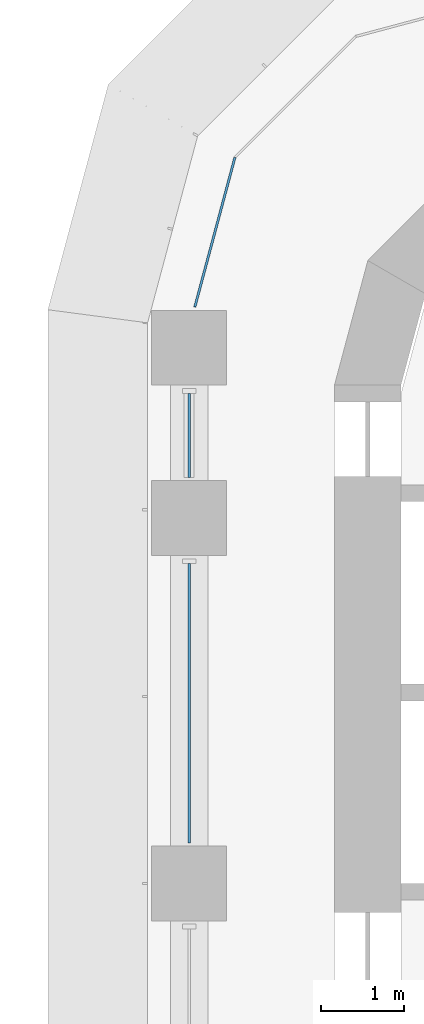
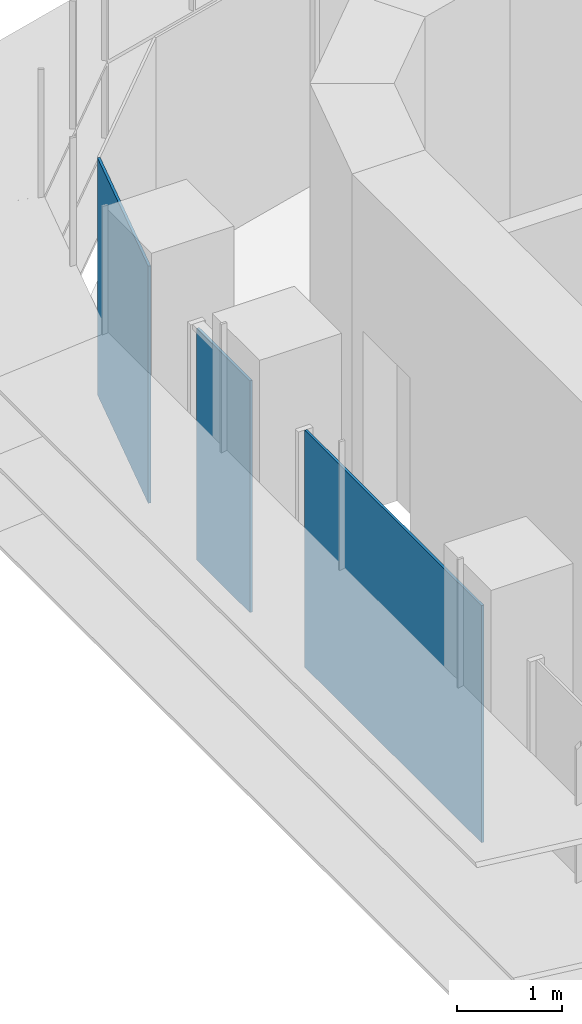
# One storey, part 13 of 22: 3 plates, 2 elements without a shape of their own.
"""IFC4 building model written with IfcOpenShell, lengths in metres."""

import ifcopenshell
import ifcopenshell.guid

model = None  # the IFC model being written
_history = None  # IfcOwnerHistory: only IFC2X3 demands one
_inside = {}  # id of a spatial element -> (the spatial element, [elements in it])
_under = {}  # id of a project, library or spatial element -> (it, [spatial elements below it])
_declared = {}  # id of a project -> (the project, [libraries it declares])
_typed = {}  # id of a type object -> (the type object, [elements of that type])
_made_of = {}  # id of a material, layer set ... -> (it, [elements and type objects made of it])


def new_model(schema):
    """Start an empty IFC model of exactly this schema.

    Asked for "IFC4X3", IfcOpenShell would pick the latest addendum, in which some entities
    have other attributes; the version numbers below select the first issue.
    IFC2X3 requires an IfcOwnerHistory on every rooted entity: one is made here for all.
    """
    global model, _history
    if schema == "IFC4X3":
        model = ifcopenshell.file(schema_version=(4, 3, 0, 0))
    else:
        model = ifcopenshell.file(schema=schema)
    _inside.clear()
    _under.clear()
    _declared.clear()
    _typed.clear()
    _made_of.clear()
    _history = None
    if model.schema == "IFC2X3":
        org = make("IfcOrganization", Name="unknown")
        user = make(
            "IfcPersonAndOrganization",
            ThePerson=make("IfcPerson", FamilyName="unknown"),
            TheOrganization=org,
        )
        app = make(
            "IfcApplication",
            ApplicationDeveloper=org,
            Version="unknown",
            ApplicationFullName="unknown",
            ApplicationIdentifier="unknown",
        )
        _history = make(
            "IfcOwnerHistory",
            OwningUser=user,
            OwningApplication=app,
            ChangeAction="ADDED",
            CreationDate=0,
        )
    return model


def make(cls, **values):
    """One entity of the class cls with the attributes given. An attribute that is None is left unset."""
    return model.create_entity(
        cls, **{name: value for name, value in values.items() if value is not None}
    )


def rooted(cls, **values):
    """An entity with a GlobalId (a new one), such as an element, a storey or a relation."""
    return make(cls, GlobalId=ifcopenshell.guid.new(), OwnerHistory=_history, **values)


def si_unit(unit_type, name, prefix=None):
    """IfcSIUnit, for example si_unit("LENGTHUNIT", "METRE", prefix="MILLI")."""
    return make("IfcSIUnit", UnitType=unit_type, Prefix=prefix, Name=name)


def assignment(units):
    """IfcUnitAssignment: the units of a project."""
    return None if units is None else make("IfcUnitAssignment", Units=units)


def point(xyz):
    """IfcCartesianPoint."""
    return None if xyz is None else make("IfcCartesianPoint", Coordinates=xyz)


def direction(xyz):
    """IfcDirection."""
    return None if xyz is None else make("IfcDirection", DirectionRatios=xyz)


def frame(location, z_axis=None, x_axis=None):
    """IfcAxis2Placement3D, a coordinate frame: its origin and axes. An axis left out is left unset."""
    return make(
        "IfcAxis2Placement3D",
        Location=point(location),
        Axis=direction(z_axis),
        RefDirection=direction(x_axis),
    )


def origin():
    """The frame at (0, 0, 0) with its axes left unset."""
    return frame((0.0, 0.0, 0.0))


def place(relative_to, where):
    """IfcLocalPlacement: puts the frame where relative to a parent placement (None: the world)."""
    return make(
        "IfcLocalPlacement", PlacementRelTo=relative_to, RelativePlacement=where
    )


def context(
    kind, dimensions, precision=None, world=None, true_north=None, identifier=None
):
    """IfcGeometricRepresentationContext, for example the 3D "Model" context."""
    return make(
        "IfcGeometricRepresentationContext",
        ContextIdentifier=identifier,
        ContextType=kind,
        CoordinateSpaceDimension=dimensions,
        Precision=precision,
        WorldCoordinateSystem=world,
        TrueNorth=true_north,
    )


def subcontext(parent, identifier, kind, view, scale=None):
    """IfcGeometricRepresentationSubContext, for example "Body" below "Model"."""
    return make(
        "IfcGeometricRepresentationSubContext",
        ContextIdentifier=identifier,
        ContextType=kind,
        ParentContext=parent,
        TargetScale=scale,
        TargetView=view,
    )


def project(units=None, contexts=None):
    """IfcProject with its units and contexts."""
    return rooted(
        "IfcProject",
        Name="project",
        RepresentationContexts=contexts,
        UnitsInContext=assignment(units),
    )


def spatial(cls, under=None, at=None, **own):
    """A site, building, storey or space (cls), placed at a placement, below another one or the project."""
    s = rooted(cls, ObjectPlacement=at, **own)
    if under is not None:
        _under.setdefault(under.id(), (under, []))[1].append(s)
    return s


def polyline(points):
    """IfcPolyline through the points."""
    return make("IfcPolyline", Points=[point(p) for p in points])


def outline(outer, holes=None, kind="AREA"):
    """IfcArbitraryClosedProfileDef: a profile drawn as a closed curve; with holes, ...WithVoids."""
    if holes is None:
        return make("IfcArbitraryClosedProfileDef", ProfileType=kind, OuterCurve=outer)
    return make(
        "IfcArbitraryProfileDefWithVoids",
        ProfileType=kind,
        OuterCurve=outer,
        InnerCurves=holes,
    )


def extrude(swept, where, along, depth):
    """IfcExtrudedAreaSolid: the profile swept, set in the frame where, extruded along a direction by depth."""
    return make(
        "IfcExtrudedAreaSolid",
        SweptArea=swept,
        Position=where,
        ExtrudedDirection=direction(along),
        Depth=depth,
    )


def shape(context_of_items, identifier, shape_type, items):
    """IfcShapeRepresentation: the items that make up one representation, for example the "Body"."""
    return make(
        "IfcShapeRepresentation",
        ContextOfItems=context_of_items,
        RepresentationIdentifier=identifier,
        RepresentationType=shape_type,
        Items=items,
    )


def source(mapping_origin, context_of_items, identifier, shape_type, items):
    """IfcRepresentationMap: a shape defined once, which mapped items show again and again."""
    return make(
        "IfcRepresentationMap",
        MappingOrigin=mapping_origin,
        MappedRepresentation=shape(context_of_items, identifier, shape_type, items),
    )


def transform(
    local_origin,
    x_axis=None,
    y_axis=None,
    z_axis=None,
    scale=None,
    scale2=None,
    scale3=None,
    uniform=True,
):
    """IfcCartesianTransformationOperator3D, or its non-uniform kind. x_axis, y_axis, z_axis: its Axis1, 2, 3."""
    if uniform:
        return make(
            "IfcCartesianTransformationOperator3D",
            Axis1=direction(x_axis),
            Axis2=direction(y_axis),
            LocalOrigin=point(local_origin),
            Scale=scale,
            Axis3=direction(z_axis),
        )
    return make(
        "IfcCartesianTransformationOperator3DnonUniform",
        Axis1=direction(x_axis),
        Axis2=direction(y_axis),
        LocalOrigin=point(local_origin),
        Scale=scale,
        Axis3=direction(z_axis),
        Scale2=scale2,
        Scale3=scale3,
    )


def mapped(mapping_source, mapping_target):
    """IfcMappedItem: shows the shape of a source again, moved by a transform."""
    return make(
        "IfcMappedItem", MappingSource=mapping_source, MappingTarget=mapping_target
    )


def material(Name=None, Category=None):
    """IfcMaterial."""
    return make("IfcMaterial", Name=Name, Category=Category)


def layer(
    of_material, thickness, ventilated=None, Name=None, Category=None, Priority=None
):
    """IfcMaterialLayer: one layer of a wall or slab, of a material (None: an air gap)."""
    return make(
        "IfcMaterialLayer",
        Material=of_material,
        LayerThickness=thickness,
        IsVentilated=ventilated,
        Name=Name,
        Category=Category,
        Priority=Priority,
    )


def layer_set(layers, Name=None):
    """IfcMaterialLayerSet."""
    return make("IfcMaterialLayerSet", MaterialLayers=layers, LayerSetName=Name)


def made_of(thing, what):
    """Note that an element or type object is made of a material, layer set ...; save() writes the relation."""
    if what is not None:
        _made_of.setdefault(what.id(), (what, []))[1].append(thing)
    return thing


def type_object(cls, material=None, **own):
    """A type object (cls), such as IfcWallType, which elements share."""
    return made_of(rooted(cls, **own), material)


def element(
    cls,
    number,
    at=None,
    inside=None,
    cuts=None,
    type_object=None,
    material=None,
    context=None,
    identifier="Body",
    shape_type=None,
    held_by="IfcProductDefinitionShape",
    body=None,
    shapes=None,
    **own,
):
    """One element of the class cls, such as IfcWall. Its Tag is "e" and its number.

    at: its placement. inside: the storey or other place that contains it. cuts: it is an
    opening in that element (IfcRelVoidsElement). A single representation is given by context,
    identifier, shape_type and body (its items); several are given by shapes. held_by: the class
    of the entity that holds the representations. save() writes the other relations.
    """
    e = rooted(cls, Tag="e%d" % number, ObjectPlacement=at, **own)
    if body is not None:
        shapes = [shape(context, identifier, shape_type, body)]
    if shapes is not None:
        e.Representation = make(held_by, Representations=shapes)
    if inside is not None:
        _inside.setdefault(inside.id(), (inside, []))[1].append(e)
    if cuts is not None:
        rooted(
            "IfcRelVoidsElement", RelatingBuildingElement=cuts, RelatedOpeningElement=e
        )
    if type_object is not None:
        _typed.setdefault(type_object.id(), (type_object, []))[1].append(e)
    return made_of(e, material)


def aggregate(whole, parts):
    """IfcRelAggregates: a whole, such as a stair, and the parts it consists of."""
    return rooted("IfcRelAggregates", RelatingObject=whole, RelatedObjects=parts)


def save(model, path):
    """Write the relations noted so far, then the file.

    IfcRelAggregates (storeys below a building ...), IfcRelContainedInSpatialStructure (elements
    in a storey), IfcRelDefinesByType, IfcRelAssociatesMaterial and IfcRelDeclares: one each for
    every whole, place, type object, material and project.
    """
    for whole, parts in _under.values():
        aggregate(whole, parts)
    for where, things in _inside.values():
        rooted(
            "IfcRelContainedInSpatialStructure",
            RelatedElements=things,
            RelatingStructure=where,
        )
    for kind, things in _typed.values():
        rooted("IfcRelDefinesByType", RelatedObjects=things, RelatingType=kind)
    for what, things in _made_of.values():
        rooted("IfcRelAssociatesMaterial", RelatedObjects=things, RelatingMaterial=what)
    for by, libraries in _declared.values():
        rooted("IfcRelDeclares", RelatingContext=by, RelatedDefinitions=libraries)
    model.write(path)


model = new_model("IFC4")

# Units and contexts
model_context = context("Model", 3, precision=1e-05, world=origin(), true_north=direction((0.0, 1.0)))
body_context = subcontext(model_context, "Body", "Model", "MODEL_VIEW")
ifc_project = project(units=[si_unit("LENGTHUNIT", "METRE"), si_unit("AREAUNIT", "SQUARE_METRE"), si_unit("VOLUMEUNIT", "CUBIC_METRE"), si_unit("PLANEANGLEUNIT", "RADIAN"), si_unit("MASSUNIT", "GRAM", prefix="KILO")], contexts=[model_context])

# Site, building, storey
site_placement = place(None, origin())
site = spatial("IfcSite", under=ifc_project, at=site_placement, CompositionType="ELEMENT")
building_placement = place(site_placement, origin())
building = spatial("IfcBuilding", under=site, at=building_placement, Name="Zarbagh Exchange Tower", CompositionType="ELEMENT")
storey_placement = place(building_placement, frame((0.0, 0.0, 109.39990234375)))
storey = spatial("IfcBuildingStorey", under=building, at=storey_placement, Name="L25", CompositionType="ELEMENT", Elevation=109.39990234375)

# Curtain wall, plate
ifc_material_1 = material(Name="Anodised aluminium frame and glazing", Category="aluminium")
curtain_wall_type = type_object("IfcCurtainWallType", Name="CWA Ribbon glazing, lower zones", PredefinedType="NOTDEFINED", material=ifc_material_1)
curtain_wall_1_placement = place(storey_placement, origin())
curtain_wall_1 = element("IfcCurtainWall", 1, at=curtain_wall_1_placement, inside=storey, type_object=curtain_wall_type, Name="CWA56 curtain wall", PredefinedType="NOTDEFINED")
ifc_material_2 = material(Name="Low-e double glazed unit, 6+12+6 mm")
ifc_layer = layer(ifc_material_2, 0.028076171875)
ifc_layer_set = layer_set([ifc_layer], Name="PAA Glazing panel, Low-e double glazed unit, 6+12+6 mm")
plate_type = type_object("IfcPlateType", Name="PAA Glazing panel, Low-e double glazed unit, 6+12+6 mm", PredefinedType="CURTAIN_PANEL", material=ifc_layer_set)
shared_shape_1 = source(origin(), body_context, "Body", "SweptSolid", [
    extrude(outline(polyline([(0.0, -0.013916015625), (3.360107421875, -0.013916015625), (3.360107421875, 0.013916015625), (0.0, 0.013916015625), (0.0, -0.013916015625)])), origin(), (0.0, 0.0, 1.0), 2.75),
])
placement = place(storey_placement, origin())
plate_1 = element("IfcPlate", 2, at=placement, type_object=plate_type, Name="CWA56 glazing panel 2.1", PredefinedType="CURTAIN_PANEL", context=body_context, shape_type="MappedRepresentation", body=[
    mapped(shared_shape_1, transform((-6.25, 24.099853515625, 0.0), x_axis=(0.0, -1.0, 0.0), y_axis=(1.0, 0.0, 0.0), z_axis=(0.0, 0.0, 1.0))),
])

curtain_wall_2_placement = place(storey_placement, origin())
curtain_wall_2 = element("IfcCurtainWall", 3, at=curtain_wall_2_placement, inside=storey, type_object=curtain_wall_type, Name="CWA55 curtain wall", PredefinedType="NOTDEFINED")
shared_shape_2 = source(origin(), body_context, "Body", "SweptSolid", [
    extrude(outline(polyline([(0.0, -0.013916015625), (1.86474609375, -0.013916015625), (1.86474609375, 0.013916015625), (0.0, 0.013916015625), (0.0, -0.013916015625)])), origin(), (0.0, 0.0, 1.0), 2.75),
])
plate_2 = element("IfcPlate", 4, at=placement, type_object=plate_type, Name="CWA55 glazing panel 1.1", PredefinedType="CURTAIN_PANEL", context=body_context, shape_type="MappedRepresentation", body=[
    mapped(shared_shape_2, transform((-5.69873046875, 28.9912109375, 0.0), x_axis=(-0.258824779902, -0.965924289636, 0.0), y_axis=(0.965924289636, -0.258824779902, 0.0), z_axis=(0.0, 0.0, 1.0))),
])
aggregate(curtain_wall_2, [plate_2])

# Plate
shared_shape_3 = source(origin(), body_context, "Body", "SweptSolid", [
    extrude(outline(polyline([(0.0, -0.013916015625), (1.010009765625, -0.013916015625), (1.010009765625, 0.013916015625), (0.0, 0.013916015625), (0.0, -0.013916015625)])), origin(), (0.0, 0.0, 1.0), 2.68994140625),
])
plate_3 = element("IfcPlate", 5, at=placement, type_object=plate_type, Name="CWA56 glazing panel 1.1", PredefinedType="CURTAIN_PANEL", context=body_context, shape_type="MappedRepresentation", body=[
    mapped(shared_shape_3, transform((-6.25, 26.14990234375, 0.0), x_axis=(0.0, -1.0, 0.0), y_axis=(1.0, 0.0, 0.0), z_axis=(0.0, 0.0, 1.0))),
])

aggregate(curtain_wall_1, [plate_3, plate_1])

save(model, "model.ifc")
